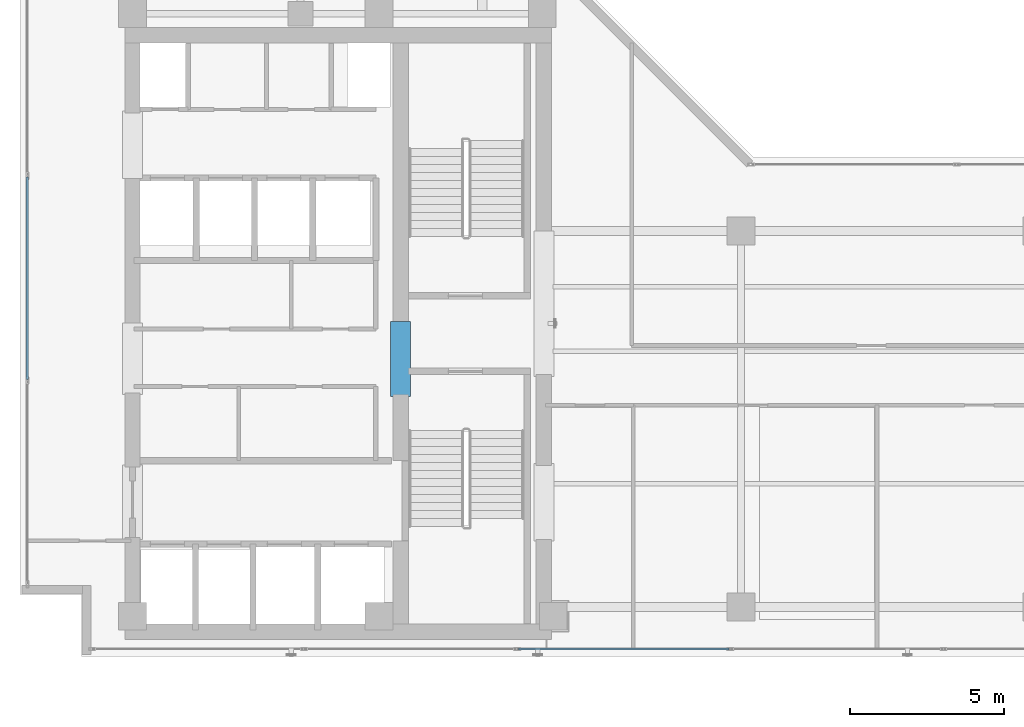
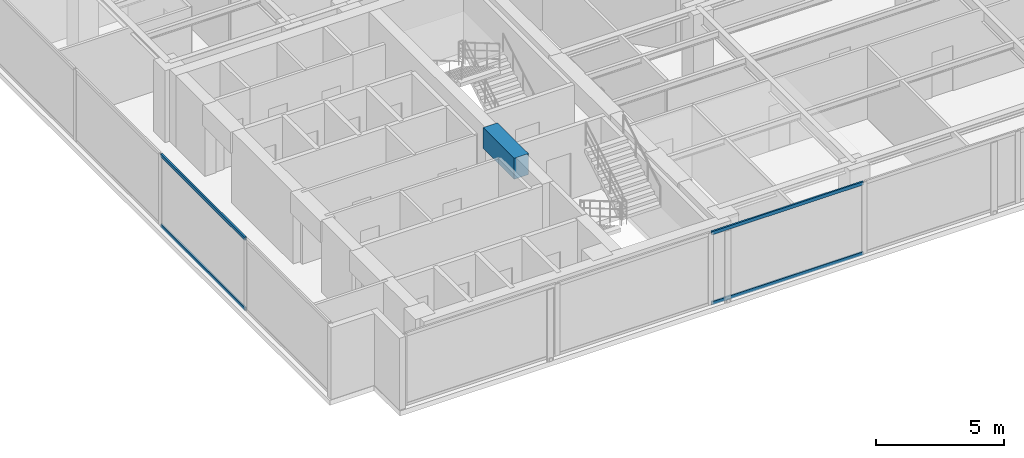
# One storey, part 3 of 23: 4 members, 1 beam, 2 elements without a shape of their own.
"""IFC4 building model written with IfcOpenShell, lengths in metres."""

from ifc_helpers import new_model, si_unit, direction, frame, origin, origin_with_axes, origin_2d, place, context, subcontext, project, spatial, rectangle, hollow_rectangle, extrude, source, transform, mapped, material, layer, layer_set, material_profile, profile_set, type_object, element, aggregate, save


model = new_model("IFC4")

# Units and contexts
model_context = context("Model", 3, precision=1e-05, world=origin(), true_north=direction((0.0, 1.0)))
body_context = subcontext(model_context, "Body", "Model", "MODEL_VIEW")
ifc_project = project(units=[si_unit("LENGTHUNIT", "METRE"), si_unit("AREAUNIT", "SQUARE_METRE"), si_unit("VOLUMEUNIT", "CUBIC_METRE"), si_unit("PLANEANGLEUNIT", "RADIAN"), si_unit("MASSUNIT", "GRAM", prefix="KILO")], contexts=[model_context])

# Site, building, storey
site_placement = place(None, origin())
site = spatial("IfcSite", under=ifc_project, at=site_placement, CompositionType="ELEMENT")
building_placement = place(site_placement, origin())
building = spatial("IfcBuilding", under=site, at=building_placement, Name="Kolvaren Waterfront Exchange", CompositionType="ELEMENT")
storey_placement = place(building_placement, frame((0.0, 0.0, 335.0)))
storey = spatial("IfcBuildingStorey", under=building, at=storey_placement, Name="L86", CompositionType="ELEMENT", Elevation=335.0)

# Beam
ifc_material_1 = material(Name="Concrete C60/75", Category="concrete")
ifc_material_profile_1 = material_profile(ifc_material_1, rectangle(XDim=0.64990234375, YDim=1.0, at=origin_2d()), Name="RC-CB-1000x650")
ifc_profile_set_1 = profile_set([ifc_material_profile_1], Name="Concrete C60/75")
beam_type = type_object("IfcBeamType", Name="STR-CB-1000", PredefinedType="SPANDREL", material=ifc_profile_set_1)
beam_placement = place(storey_placement, frame((16.14990234375, 12.0400390625, 2.919921875), z_axis=(0.0, 1.0, 0.0), x_axis=(-1.0, 0.0, 0.0)))
element("IfcBeam", 1, at=beam_placement, inside=storey, type_object=beam_type, Name="L86 core coupling beam 6", PredefinedType="SPANDREL", context=body_context, shape_type="SweptSolid", body=[
    extrude(rectangle(XDim=0.64990234375, YDim=1.0, at=origin_2d()), origin(), (0.0, 0.0, 1.0), 2.419921875),
])

# Curtain wall, members
ifc_material_2 = material(Name="Anodised bronze aluminium 6063-T6", Category="aluminium")
ifc_layer_1 = layer(ifc_material_2, 0.219970703125, Name="Anodised bronze aluminium 6063-T6")
ifc_layer_set_1 = layer_set([ifc_layer_1], Name="Anodised bronze aluminium 6063-T6")
curtain_wall_type_1 = type_object("IfcCurtainWallType", Name="ARC-CW-SYS1", PredefinedType="USERDEFINED", material=ifc_layer_set_1)
curtain_wall_1_placement = place(storey_placement, origin())
curtain_wall_1 = element("IfcCurtainWall", 2, at=curtain_wall_1_placement, inside=storey, type_object=curtain_wall_type_1, Name="L86 stick curtain wall CW1 (CW-L86-S)", ObjectType="STICK CURTAIN WALL", PredefinedType="USERDEFINED")
ifc_material_3 = material(Name="Anodised aluminium 6063-T6", Category="aluminium")
ifc_material_profile_2 = material_profile(ifc_material_3, hollow_rectangle(XDim=0.074951171875, YDim=0.159912109375, WallThickness=0.00439453125, at=origin_2d()), Name="ALU-TRN-160x75x4.5")
ifc_profile_set_2 = profile_set([ifc_material_profile_2], Name="Anodised aluminium 6063-T6")
member_type = type_object("IfcMemberType", Name="ARC-CWT-160", PredefinedType="USERDEFINED", material=ifc_profile_set_2)
shared_shape_1 = source(origin_with_axes(), body_context, "Body", "SweptSolid", [
    extrude(hollow_rectangle(XDim=0.074951171875, YDim=0.159912109375, WallThickness=0.00439453125, at=origin_2d()), origin(), (0.0, 0.0, 1.0), 6.836669921875),
])
member_1_placement = place(storey_placement, frame((19.973388671875, 3.840087890625, 0.03759765625), z_axis=(1.0, 0.0, 0.0), x_axis=(0.0, 1.0, 0.0)))
member_1 = element("IfcMember", 3, at=member_1_placement, type_object=member_type, Name="CW1 transom 3.1", ObjectType="TRANSOM", PredefinedType="USERDEFINED", context=body_context, shape_type="MappedRepresentation", body=[
    mapped(shared_shape_1, transform((0.0, 0.0, 0.0), x_axis=(1.0, 0.0, 0.0), y_axis=(0.0, 1.0, 0.0), z_axis=(0.0, 0.0, 1.0), scale=1.0)),
])
member_2_placement = place(storey_placement, frame((19.973388671875, 3.840087890625, 3.382568359375), z_axis=(1.0, 0.0, 0.0), x_axis=(0.0, 1.0, 0.0)))
member_2 = element("IfcMember", 4, at=member_2_placement, type_object=member_type, Name="CW1 transom 3.2", ObjectType="TRANSOM", PredefinedType="USERDEFINED", context=body_context, shape_type="MappedRepresentation", body=[
    mapped(shared_shape_1, transform((0.0, 0.0, 0.0), x_axis=(1.0, 0.0, 0.0), y_axis=(0.0, 1.0, 0.0), z_axis=(0.0, 0.0, 1.0), scale=1.0)),
])
aggregate(curtain_wall_1, [member_1, member_2])

ifc_layer_2 = layer(ifc_material_3, 0.219970703125, Name="Anodised aluminium 6063-T6")
ifc_layer_set_2 = layer_set([ifc_layer_2], Name="Anodised aluminium 6063-T6")
curtain_wall_type_2 = type_object("IfcCurtainWallType", Name="ARC-CW-SYS2", PredefinedType="USERDEFINED", material=ifc_layer_set_2)
curtain_wall_2_placement = place(storey_placement, origin())
curtain_wall_2 = element("IfcCurtainWall", 5, at=curtain_wall_2_placement, inside=storey, type_object=curtain_wall_type_2, Name="L86 stick curtain wall CW2 (CW-L86-W)", ObjectType="STICK CURTAIN WALL", PredefinedType="USERDEFINED")
shared_shape_2 = source(origin_with_axes(), body_context, "Body", "SweptSolid", [
    extrude(hollow_rectangle(XDim=0.074951171875, YDim=0.159912109375, WallThickness=0.00439453125, at=origin_2d()), origin(), (0.0, 0.0, 1.0), 6.56982421875),
])
member_3_placement = place(storey_placement, frame((4.0400390625, 12.590087890625, 0.03759765625), z_axis=(0.0, 1.0, 0.0), x_axis=(-1.0, 0.0, 0.0)))
member_3 = element("IfcMember", 6, at=member_3_placement, type_object=member_type, Name="CW2 transom 2.1", ObjectType="TRANSOM", PredefinedType="USERDEFINED", context=body_context, shape_type="MappedRepresentation", body=[
    mapped(shared_shape_2, transform((0.0, 0.0, 0.0), x_axis=(1.0, 0.0, 0.0), y_axis=(0.0, 1.0, 0.0), z_axis=(0.0, 0.0, 1.0), scale=1.0)),
])
member_4_placement = place(storey_placement, frame((4.0400390625, 12.590087890625, 3.382568359375), z_axis=(0.0, 1.0, 0.0), x_axis=(-1.0, 0.0, 0.0)))
member_4 = element("IfcMember", 7, at=member_4_placement, type_object=member_type, Name="CW2 transom 2.2", ObjectType="TRANSOM", PredefinedType="USERDEFINED", context=body_context, shape_type="MappedRepresentation", body=[
    mapped(shared_shape_2, transform((0.0, 0.0, 0.0), x_axis=(1.0, 0.0, 0.0), y_axis=(0.0, 1.0, 0.0), z_axis=(0.0, 0.0, 1.0), scale=1.0)),
])
aggregate(curtain_wall_2, [member_3, member_4])

save(model, "model.ifc")
